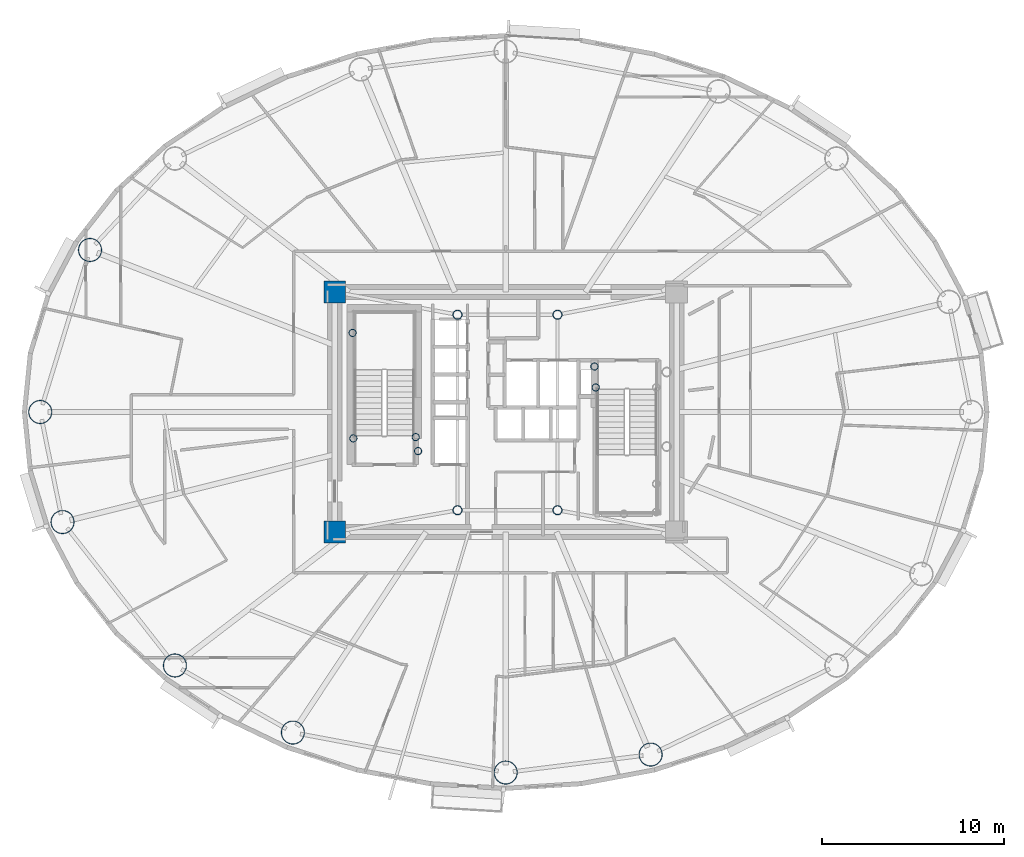
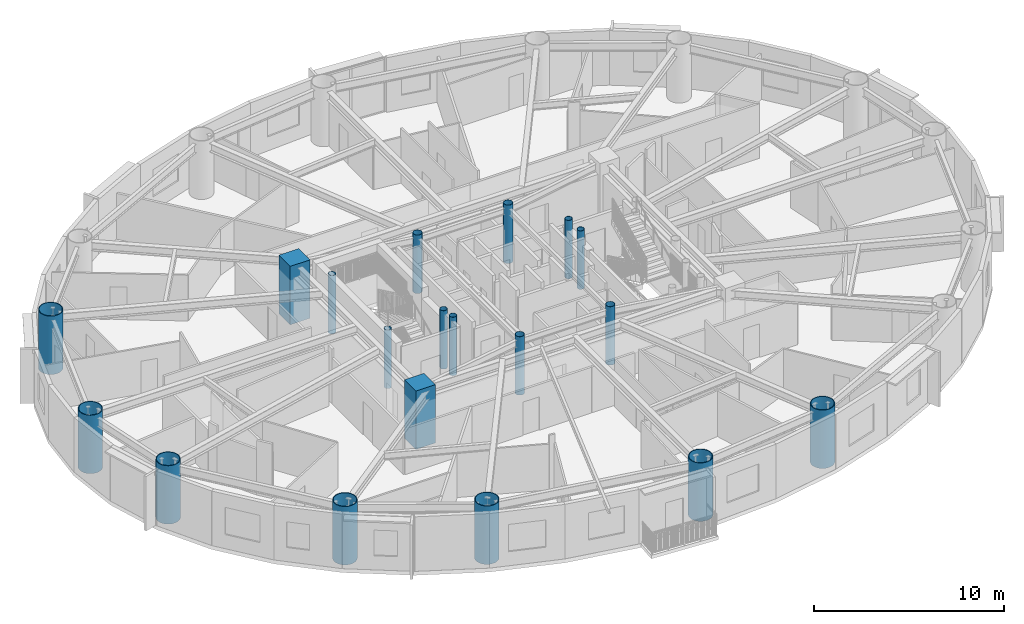
# One storey, part 1 of 18: 19 columns.
"""IFC4 building model written with IfcOpenShell, lengths in metres."""

import ifcopenshell
import ifcopenshell.guid

model = None  # the IFC model being written
_history = None  # IfcOwnerHistory: only IFC2X3 demands one
_inside = {}  # id of a spatial element -> (the spatial element, [elements in it])
_under = {}  # id of a project, library or spatial element -> (it, [spatial elements below it])
_declared = {}  # id of a project -> (the project, [libraries it declares])
_typed = {}  # id of a type object -> (the type object, [elements of that type])
_made_of = {}  # id of a material, layer set ... -> (it, [elements and type objects made of it])


def new_model(schema):
    """Start an empty IFC model of exactly this schema.

    Asked for "IFC4X3", IfcOpenShell would pick the latest addendum, in which some entities
    have other attributes; the version numbers below select the first issue.
    IFC2X3 requires an IfcOwnerHistory on every rooted entity: one is made here for all.
    """
    global model, _history
    if schema == "IFC4X3":
        model = ifcopenshell.file(schema_version=(4, 3, 0, 0))
    else:
        model = ifcopenshell.file(schema=schema)
    _inside.clear()
    _under.clear()
    _declared.clear()
    _typed.clear()
    _made_of.clear()
    _history = None
    if model.schema == "IFC2X3":
        org = make("IfcOrganization", Name="unknown")
        user = make(
            "IfcPersonAndOrganization",
            ThePerson=make("IfcPerson", FamilyName="unknown"),
            TheOrganization=org,
        )
        app = make(
            "IfcApplication",
            ApplicationDeveloper=org,
            Version="unknown",
            ApplicationFullName="unknown",
            ApplicationIdentifier="unknown",
        )
        _history = make(
            "IfcOwnerHistory",
            OwningUser=user,
            OwningApplication=app,
            ChangeAction="ADDED",
            CreationDate=0,
        )
    return model


def make(cls, **values):
    """One entity of the class cls with the attributes given. An attribute that is None is left unset."""
    return model.create_entity(
        cls, **{name: value for name, value in values.items() if value is not None}
    )


def rooted(cls, **values):
    """An entity with a GlobalId (a new one), such as an element, a storey or a relation."""
    return make(cls, GlobalId=ifcopenshell.guid.new(), OwnerHistory=_history, **values)


def si_unit(unit_type, name, prefix=None):
    """IfcSIUnit, for example si_unit("LENGTHUNIT", "METRE", prefix="MILLI")."""
    return make("IfcSIUnit", UnitType=unit_type, Prefix=prefix, Name=name)


def assignment(units):
    """IfcUnitAssignment: the units of a project."""
    return None if units is None else make("IfcUnitAssignment", Units=units)


def point(xyz):
    """IfcCartesianPoint."""
    return None if xyz is None else make("IfcCartesianPoint", Coordinates=xyz)


def direction(xyz):
    """IfcDirection."""
    return None if xyz is None else make("IfcDirection", DirectionRatios=xyz)


def frame(location, z_axis=None, x_axis=None):
    """IfcAxis2Placement3D, a coordinate frame: its origin and axes. An axis left out is left unset."""
    return make(
        "IfcAxis2Placement3D",
        Location=point(location),
        Axis=direction(z_axis),
        RefDirection=direction(x_axis),
    )


def frame_2d(location, x_axis=None):
    """IfcAxis2Placement2D, a coordinate frame in the plane: its origin and x axis."""
    return make(
        "IfcAxis2Placement2D", Location=point(location), RefDirection=direction(x_axis)
    )


def origin():
    """The frame at (0, 0, 0) with its axes left unset."""
    return frame((0.0, 0.0, 0.0))


def origin_2d():
    """The frame at (0, 0) in the plane with its x axis left unset."""
    return frame_2d((0.0, 0.0))


def place(relative_to, where):
    """IfcLocalPlacement: puts the frame where relative to a parent placement (None: the world)."""
    return make(
        "IfcLocalPlacement", PlacementRelTo=relative_to, RelativePlacement=where
    )


def context(
    kind, dimensions, precision=None, world=None, true_north=None, identifier=None
):
    """IfcGeometricRepresentationContext, for example the 3D "Model" context."""
    return make(
        "IfcGeometricRepresentationContext",
        ContextIdentifier=identifier,
        ContextType=kind,
        CoordinateSpaceDimension=dimensions,
        Precision=precision,
        WorldCoordinateSystem=world,
        TrueNorth=true_north,
    )


def subcontext(parent, identifier, kind, view, scale=None):
    """IfcGeometricRepresentationSubContext, for example "Body" below "Model"."""
    return make(
        "IfcGeometricRepresentationSubContext",
        ContextIdentifier=identifier,
        ContextType=kind,
        ParentContext=parent,
        TargetScale=scale,
        TargetView=view,
    )


def project(units=None, contexts=None):
    """IfcProject with its units and contexts."""
    return rooted(
        "IfcProject",
        Name="project",
        RepresentationContexts=contexts,
        UnitsInContext=assignment(units),
    )


def spatial(cls, under=None, at=None, **own):
    """A site, building, storey or space (cls), placed at a placement, below another one or the project."""
    s = rooted(cls, ObjectPlacement=at, **own)
    if under is not None:
        _under.setdefault(under.id(), (under, []))[1].append(s)
    return s


def profile(cls, at=None, kind="AREA", **sizes):
    """A parametric profile (cls). Its sizes go by their IFC names, for example OverallWidth=200.0."""
    return make(cls, ProfileType=kind, Position=at, **sizes)


def rectangle(**sizes):
    """IfcRectangleProfileDef."""
    return profile("IfcRectangleProfileDef", **sizes)


def hollow_circle(**sizes):
    """IfcCircleHollowProfileDef."""
    return profile("IfcCircleHollowProfileDef", **sizes)


def extrude(swept, where, along, depth):
    """IfcExtrudedAreaSolid: the profile swept, set in the frame where, extruded along a direction by depth."""
    return make(
        "IfcExtrudedAreaSolid",
        SweptArea=swept,
        Position=where,
        ExtrudedDirection=direction(along),
        Depth=depth,
    )


def shape(context_of_items, identifier, shape_type, items):
    """IfcShapeRepresentation: the items that make up one representation, for example the "Body"."""
    return make(
        "IfcShapeRepresentation",
        ContextOfItems=context_of_items,
        RepresentationIdentifier=identifier,
        RepresentationType=shape_type,
        Items=items,
    )


def material(Name=None, Category=None):
    """IfcMaterial."""
    return make("IfcMaterial", Name=Name, Category=Category)


def material_profile(
    of_material, cross_section, Name=None, Category=None, Priority=None
):
    """IfcMaterialProfile: a cross section and its material."""
    return make(
        "IfcMaterialProfile",
        Name=Name,
        Material=of_material,
        Profile=cross_section,
        Priority=Priority,
        Category=Category,
    )


def profile_set(profiles, Name=None, composite=None):
    """IfcMaterialProfileSet."""
    return make(
        "IfcMaterialProfileSet",
        Name=Name,
        MaterialProfiles=profiles,
        CompositeProfile=composite,
    )


def made_of(thing, what):
    """Note that an element or type object is made of a material, layer set ...; save() writes the relation."""
    if what is not None:
        _made_of.setdefault(what.id(), (what, []))[1].append(thing)
    return thing


def type_object(cls, material=None, **own):
    """A type object (cls), such as IfcWallType, which elements share."""
    return made_of(rooted(cls, **own), material)


def element(
    cls,
    number,
    at=None,
    inside=None,
    cuts=None,
    type_object=None,
    material=None,
    context=None,
    identifier="Body",
    shape_type=None,
    held_by="IfcProductDefinitionShape",
    body=None,
    shapes=None,
    **own,
):
    """One element of the class cls, such as IfcWall. Its Tag is "e" and its number.

    at: its placement. inside: the storey or other place that contains it. cuts: it is an
    opening in that element (IfcRelVoidsElement). A single representation is given by context,
    identifier, shape_type and body (its items); several are given by shapes. held_by: the class
    of the entity that holds the representations. save() writes the other relations.
    """
    e = rooted(cls, Tag="e%d" % number, ObjectPlacement=at, **own)
    if body is not None:
        shapes = [shape(context, identifier, shape_type, body)]
    if shapes is not None:
        e.Representation = make(held_by, Representations=shapes)
    if inside is not None:
        _inside.setdefault(inside.id(), (inside, []))[1].append(e)
    if cuts is not None:
        rooted(
            "IfcRelVoidsElement", RelatingBuildingElement=cuts, RelatedOpeningElement=e
        )
    if type_object is not None:
        _typed.setdefault(type_object.id(), (type_object, []))[1].append(e)
    return made_of(e, material)


def aggregate(whole, parts):
    """IfcRelAggregates: a whole, such as a stair, and the parts it consists of."""
    return rooted("IfcRelAggregates", RelatingObject=whole, RelatedObjects=parts)


def save(model, path):
    """Write the relations noted so far, then the file.

    IfcRelAggregates (storeys below a building ...), IfcRelContainedInSpatialStructure (elements
    in a storey), IfcRelDefinesByType, IfcRelAssociatesMaterial and IfcRelDeclares: one each for
    every whole, place, type object, material and project.
    """
    for whole, parts in _under.values():
        aggregate(whole, parts)
    for where, things in _inside.values():
        rooted(
            "IfcRelContainedInSpatialStructure",
            RelatedElements=things,
            RelatingStructure=where,
        )
    for kind, things in _typed.values():
        rooted("IfcRelDefinesByType", RelatedObjects=things, RelatingType=kind)
    for what, things in _made_of.values():
        rooted("IfcRelAssociatesMaterial", RelatedObjects=things, RelatingMaterial=what)
    for by, libraries in _declared.values():
        rooted("IfcRelDeclares", RelatingContext=by, RelatedDefinitions=libraries)
    model.write(path)


model = new_model("IFC4")

# Units and contexts
model_context = context("Model", 3, precision=1e-05, world=origin(), true_north=direction((0.0, 1.0)))
body_context = subcontext(model_context, "Body", "Model", "MODEL_VIEW")
ifc_project = project(units=[si_unit("LENGTHUNIT", "METRE"), si_unit("AREAUNIT", "SQUARE_METRE"), si_unit("VOLUMEUNIT", "CUBIC_METRE"), si_unit("PLANEANGLEUNIT", "RADIAN"), si_unit("MASSUNIT", "GRAM", prefix="KILO")], contexts=[model_context])

# Site, building, storey
site_placement = place(None, origin())
site = spatial("IfcSite", under=ifc_project, at=site_placement, CompositionType="ELEMENT")
building_placement = place(site_placement, origin())
building = spatial("IfcBuilding", under=site, at=building_placement, Name="Linh Dai School and Residence Tower", CompositionType="ELEMENT")
storey_placement = place(building_placement, frame((0.0, 0.0, 178.64990234375)))
storey = spatial("IfcBuildingStorey", under=building, at=storey_placement, Name="L43", CompositionType="ELEMENT", Elevation=178.64990234375)

# Columns
ifc_material_1 = material(Name="Concrete B60 (C50/60)", Category="concrete")
ifc_material_profile_1 = material_profile(ifc_material_1, rectangle(XDim=1.199951171875, YDim=1.199951171875, at=origin_2d()), Name="RC 1200x1200")
ifc_profile_set_1 = profile_set([ifc_material_profile_1], Name="Concrete B60 (C50/60)")
column_type_1 = type_object("IfcColumnType", Name="COL-CC2", PredefinedType="COLUMN", material=ifc_profile_set_1)
for number, where, z_axis, x_axis, name in (
    (1, (26.60009765625, 20.39990234375, 0.0), (0.0, 0.0, 1.0), (1.0, 0.0, 0.0), "L43 Core Corner Pier CC1"),
    (2, (26.60009765625, 33.60009765625, 0.0), (0.0, 0.0, 1.0), (1.0, 0.0, 0.0), "L43 Core Corner Pier CC4"),
):
    element("IfcColumn", number, at=place(storey_placement, frame(where, z_axis=z_axis, x_axis=x_axis)), inside=storey, type_object=column_type_1, Name=name, PredefinedType="COLUMN", context=body_context, shape_type="SweptSolid", body=[
        extrude(rectangle(XDim=1.199951171875, YDim=1.199951171875, at=origin_2d()), origin(), (0.0, 0.0, 1.0), 3.75),
    ])
ifc_material_2 = material(Name="Structural Steel S355JR", Category="steel")
ifc_material_profile_2 = material_profile(ifc_material_2, hollow_circle(Radius=0.203125, WallThickness=0.01611328125, at=origin_2d()), Name="CHS 406.4x16")
ifc_profile_set_2 = profile_set([ifc_material_profile_2], Name="Structural Steel S355JR")
column_type_2 = type_object("IfcColumnType", Name="COL-EC", PredefinedType="COLUMN", material=ifc_profile_set_2)
for number, where, z_axis, x_axis, name in (
    (3, (27.580078125, 31.35009765625, 0.0), (0.0, 0.0, 1.0), (1.0, 0.0, 0.0), "L43 Stair Shaft Landing Support Pier ST1NW"),
    (4, (31.050048828125, 25.6201171875, 0.0), (0.0, 0.0, 1.0), (1.0, 0.0, 0.0), "L43 Stair Shaft Landing Support Pier ST1SE"),
    (5, (31.179931640625, 24.85009765625, 0.0), (0.0, 0.0, 1.0), (1.0, 0.0, 0.0), "L43 Stair Shaft Landing Support Pier ST1SM"),
    (6, (27.6201171875, 25.550048828125, 0.0), (0.0, 0.0, 1.0), (1.0, 0.0, 0.0), "L43 Stair Shaft Landing Support Pier ST1SW"),
    (7, (40.949951171875, 28.35009765625, 0.0), (0.0, 0.0, 1.0), (1.0, 0.0, 0.0), "L43 Stair Shaft Landing Support Pier ST2N1"),
    (8, (40.8798828125, 29.5, 0.0), (0.0, 0.0, 1.0), (1.0, 0.0, 0.0), "L43 Stair Shaft Landing Support Pier ST2N3"),
):
    element("IfcColumn", number, at=place(storey_placement, frame(where, z_axis=z_axis, x_axis=x_axis)), inside=storey, type_object=column_type_2, Name=name, PredefinedType="COLUMN", context=body_context, shape_type="SweptSolid", body=[
        extrude(hollow_circle(Radius=0.203125, WallThickness=0.01611328125, at=origin_2d()), origin(), (0.0, 0.0, 1.0), 3.75),
    ])
ifc_material_profile_3 = material_profile(ifc_material_2, hollow_circle(Radius=0.64990234375, WallThickness=0.0400390625, at=origin_2d()), Name="CHS 1300x40")
ifc_profile_set_3 = profile_set([ifc_material_profile_3], Name="Structural Steel S355JR")
column_type_3 = type_object("IfcColumnType", Name="COL-MC4", PredefinedType="COLUMN", material=ifc_profile_set_3)
for number, where, z_axis, x_axis, name in (
    (9, (13.137451171875, 35.9111328125, 0.0), (0.0, 0.0, 1.0), (1.0, 0.0, 0.0), "L43 Perimeter CFT Mega-Column MC08"),
    (10, (10.39990234375, 27.0, 0.0), (0.0, 0.0, 1.0), (1.0, 0.0, 0.0), "L43 Perimeter CFT Mega-Column MC09"),
    (11, (11.62548828125, 20.946533203125, 0.0), (0.0, 0.0, 1.0), (1.0, 0.0, 0.0), "L43 Perimeter CFT Mega-Column MC10"),
    (12, (17.8076171875, 13.058349609375, 0.0), (0.0, 0.0, 1.0), (1.0, 0.0, 0.0), "L43 Perimeter CFT Mega-Column MC11"),
    (13, (24.29443359375, 9.369140625, 0.0), (0.0, 0.0, 1.0), (1.0, 0.0, 0.0), "L43 Perimeter CFT Mega-Column MC12"),
    (14, (36.0, 7.169921875, 0.0), (0.0, 0.0, 1.0), (1.0, 0.0, 0.0), "L43 Perimeter CFT Mega-Column MC13"),
    (15, (43.973388671875, 8.15869140625, 0.0), (0.0, 0.0, 1.0), (1.0, 0.0, 0.0), "L43 Perimeter CFT Mega-Column MC14"),
):
    element("IfcColumn", number, at=place(storey_placement, frame(where, z_axis=z_axis, x_axis=x_axis)), inside=storey, type_object=column_type_3, Name=name, PredefinedType="COLUMN", context=body_context, shape_type="SweptSolid", body=[
        extrude(hollow_circle(Radius=0.64990234375, WallThickness=0.0400390625, at=origin_2d()), origin(), (0.0, 0.0, 1.0), 3.75),
    ])
ifc_material_profile_4 = material_profile(ifc_material_2, hollow_circle(Radius=0.25390625, WallThickness=0.02001953125, at=origin_2d()), Name="CHS 508x20")
ifc_profile_set_4 = profile_set([ifc_material_profile_4], Name="Structural Steel S355JR")
column_type_4 = type_object("IfcColumnType", Name="COL-MCP", PredefinedType="COLUMN", material=ifc_profile_set_4)
for number, where, z_axis, x_axis, name in (
    (16, (33.35009765625, 21.60009765625, 0.0), (0.0, 0.0, 1.0), (1.0, 0.0, 0.0), "L43 Core Mast Support Pier MCP1"),
    (17, (38.85009765625, 21.60009765625, 0.0), (0.0, 0.0, 1.0), (1.0, 0.0, 0.0), "L43 Core Mast Support Pier MCP2"),
    (18, (38.85009765625, 32.35009765625, 0.0), (0.0, 0.0, 1.0), (1.0, 0.0, 0.0), "L43 Core Mast Support Pier MCP3"),
    (19, (33.35009765625, 32.35009765625, 0.0), (0.0, 0.0, 1.0), (1.0, 0.0, 0.0), "L43 Core Mast Support Pier MCP4"),
):
    element("IfcColumn", number, at=place(storey_placement, frame(where, z_axis=z_axis, x_axis=x_axis)), inside=storey, type_object=column_type_4, Name=name, PredefinedType="COLUMN", context=body_context, shape_type="SweptSolid", body=[
        extrude(hollow_circle(Radius=0.25390625, WallThickness=0.02001953125, at=origin_2d()), origin(), (0.0, 0.0, 1.0), 3.75),
    ])

save(model, "model.ifc")
